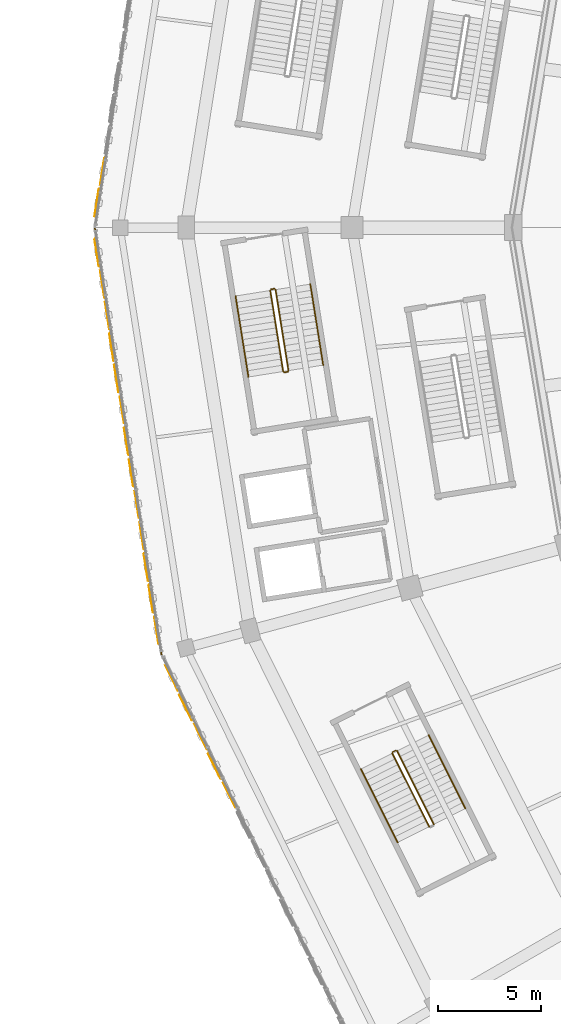
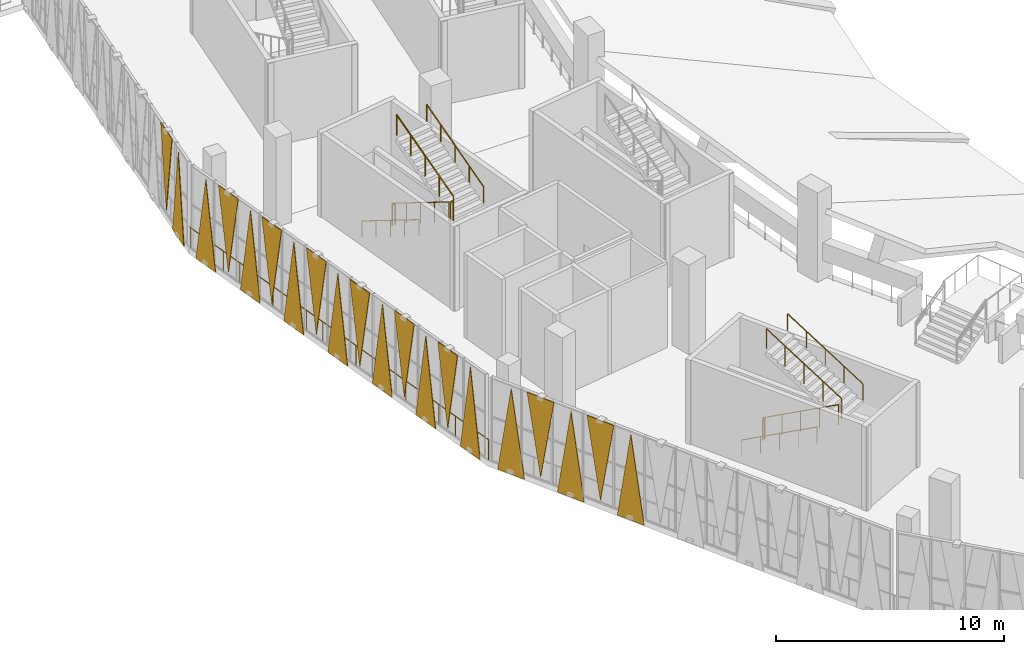
# One storey, part 137 of 183: 20 coverings, 12 railings.
"""IFC4 building model written with IfcOpenShell, lengths in metres."""

from ifc_helpers import new_model, si_unit, direction, frame, origin, origin_2d, place, context, subcontext, project, spatial, polyline, circle, outline, extrude, material, layer, layer_set, type_object, element, save


model = new_model("IFC4")

# Units and contexts
model_context = context("Model", 3, precision=1e-05, world=origin(), true_north=direction((0.0, 1.0)))
body_context = subcontext(model_context, "Body", "Model", "MODEL_VIEW")
ifc_project = project(units=[si_unit("LENGTHUNIT", "METRE"), si_unit("AREAUNIT", "SQUARE_METRE"), si_unit("VOLUMEUNIT", "CUBIC_METRE"), si_unit("PLANEANGLEUNIT", "RADIAN"), si_unit("MASSUNIT", "GRAM", prefix="KILO")], contexts=[model_context])

# Site, building, storey
site_placement = place(None, origin())
site = spatial("IfcSite", under=ifc_project, at=site_placement, CompositionType="ELEMENT")
building_placement = place(site_placement, origin())
building = spatial("IfcBuilding", under=site, at=building_placement, Name="Zevraka Park Crest Stadium", CompositionType="ELEMENT")
storey_placement = place(building_placement, frame((0.0, 0.0, 5.39990234375)))
storey = spatial("IfcBuildingStorey", under=building, at=storey_placement, Name="L01", CompositionType="ELEMENT", Elevation=5.39990234375)

# Coverings
ifc_material_1 = material(Name="Architectural golden-bronze perforated aluminium", Category="aluminium")
ifc_layer = layer(ifc_material_1, 0.034912109375)
ifc_layer_set = layer_set([ifc_layer], Name="Architectural golden-bronze perforated aluminium")
covering_type = type_object("IfcCoveringType", Name="CLD01", PredefinedType="CLADDING", material=ifc_layer_set)
covering_1_placement = place(storey_placement, frame((17.52001953125, 94.0439453125, 4.5), z_axis=(-0.988004428823, 0.15442549954, 0.000117126161), x_axis=(0.154425500599, 0.9880044356, 0.0)))
element("IfcCovering", 1, at=covering_1_placement, inside=storey, type_object=covering_type, Name="Triangular Golden-Bronze Perforated Cladding L01-11-12", PredefinedType="CLADDING", context=body_context, shape_type="SweptSolid", body=[
    extrude(outline(polyline([(0.0, 0.0), (1.378597603206358, 0.0), (0.6893440045369196, 4.2797851856061975), (0.0, 0.0)])), origin(), (0.0, 0.0, -1.0), 0.034912109375),
])
covering_2_placement = place(storey_placement, frame((17.4951171875, 93.885986328125, -0.260009765625), z_axis=(0.987977392493, -0.154598362367, 0.000135189612), x_axis=(-0.15459836378, -0.987977401521, 0.0)))
element("IfcCovering", 2, at=covering_2_placement, inside=storey, type_object=covering_type, Name="Triangular Golden-Bronze Perforated Cladding L01-11-13", PredefinedType="CLADDING", context=body_context, shape_type="SweptSolid", body=[
    extrude(outline(polyline([(0.0, 0.0), (1.3786353258463413, -3.3881317890172014e-21), (0.6892914195659171, -4.600097698286224), (0.0, 0.0)])), origin(), (0.0, 0.0, -1.0), 0.034912109375),
])
covering_3_placement = place(storey_placement, frame((17.281982421875, 91.47607421875, -0.260009765625), z_axis=(0.987977392493, 0.154598362367, 0.000135189612), x_axis=(0.15459836378, -0.987977401521, 0.0)))
element("IfcCovering", 3, at=covering_3_placement, inside=storey, type_object=covering_type, Name="Triangular Golden-Bronze Perforated Cladding L01-12-1", PredefinedType="CLADDING", context=body_context, shape_type="SweptSolid", body=[
    extrude(outline(polyline([(0.0, 0.0), (1.3786353258463413, 3.3881317890172014e-21), (0.6893439062804244, -4.600097698286224), (0.0, 0.0)])), origin(), (0.0, 0.0, -1.0), 0.034912109375),
])
covering_4_placement = place(storey_placement, frame((17.73291015625, 88.593994140625, 4.5), z_axis=(-0.988004428823, -0.15442549954, 0.000117126161), x_axis=(-0.154425500599, 0.9880044356, 0.0)))
element("IfcCovering", 4, at=covering_4_placement, inside=storey, type_object=covering_type, Name="Triangular Golden-Bronze Perforated Cladding L01-12-2", PredefinedType="CLADDING", context=body_context, shape_type="SweptSolid", body=[
    extrude(outline(polyline([(0.0, 0.0), (1.378597603206358, 0.0), (0.6892535986694385, 4.2797851856061975), (0.0, 0.0)])), origin(), (0.0, 0.0, -1.0), 0.034912109375),
])
covering_5_placement = place(storey_placement, frame((17.757080078125, 88.43603515625, -0.260009765625), z_axis=(-0.988021307121, -0.154317495936, 8.4399155e-05), x_axis=(0.154317496485, -0.98802131064, 0.0)))
element("IfcCovering", 5, at=covering_5_placement, inside=storey, type_object=covering_type, Name="Triangular Golden-Bronze Perforated Cladding L01-12-3", PredefinedType="CLADDING", context=body_context, shape_type="SweptSolid", body=[
    extrude(outline(polyline([(0.0, 0.0), (1.3795624595306466, 0.0), (0.6904596204561364, 4.600097672633749), (0.0, 0.0)])), origin(), (0.0, 0.0, -1.0), 0.034912109375),
])
covering_6_placement = place(storey_placement, frame((18.2080078125, 85.552978515625, 4.5), z_axis=(0.988004429804, 0.154425499693, 0.000108316949), x_axis=(-0.154425500599, 0.9880044356, 0.0)))
element("IfcCovering", 6, at=covering_6_placement, inside=storey, type_object=covering_type, Name="Triangular Golden-Bronze Perforated Cladding L01-12-4", PredefinedType="CLADDING", context=body_context, shape_type="SweptSolid", body=[
    extrude(outline(polyline([(0.0, 0.0), (1.378597603206358, 0.0), (0.6891027925165095, -4.279785181356422), (0.0, 0.0)])), origin(), (0.0, 0.0, -1.0), 0.034912109375),
])
covering_7_placement = place(storey_placement, frame((18.23291015625, 85.39501953125, -0.260009765625), z_axis=(0.987977398776, 0.15459836335, 7.4549778e-05), x_axis=(0.15459836378, -0.987977401521, 0.0)))
element("IfcCovering", 7, at=covering_7_placement, inside=storey, type_object=covering_type, Name="Triangular Golden-Bronze Perforated Cladding L01-12-5", PredefinedType="CLADDING", context=body_context, shape_type="SweptSolid", body=[
    extrude(outline(polyline([(0.0, 0.0), (1.3786353258463413, 0.0), (0.6891404446012883, -4.600097669032912), (0.0, 0.0)])), origin(), (0.0, 0.0, -1.0), 0.034912109375),
])
covering_8_placement = place(storey_placement, frame((18.68408203125, 82.511962890625, 4.5), z_axis=(-0.987994302166, -0.154490242843, 0.000154119859), x_axis=(-0.154490244678, 0.9879943139, 0.0)))
element("IfcCovering", 8, at=covering_8_placement, inside=storey, type_object=covering_type, Name="Triangular Golden-Bronze Perforated Cladding L01-12-6", PredefinedType="CLADDING", context=body_context, shape_type="SweptSolid", body=[
    extrude(outline(polyline([(0.0, 0.0), (1.3796001557884008, 6.776263578034403e-21), (0.6895325569324923, 4.279785207078722), (0.0, 0.0)])), origin(), (0.0, 0.0, -1.0), 0.034912109375),
])
covering_9_placement = place(storey_placement, frame((18.7080078125, 82.35400390625, -0.260009765625), z_axis=(0.987868977422, 0.15528967435, 2.2093708e-05), x_axis=(0.155289674388, -0.987868977663, 0.0)))
element("IfcCovering", 9, at=covering_9_placement, inside=storey, type_object=covering_type, Name="Triangular Golden-Bronze Perforated Cladding L01-12-7", PredefinedType="CLADDING", context=body_context, shape_type="SweptSolid", body=[
    extrude(outline(polyline([(0.0, 0.0), (1.3787866383835012, 8.470329472543003e-22), (0.6892537734578578, -4.600097657372728), (0.0, 0.0)])), origin(), (0.0, 0.0, -1.0), 0.034912109375),
])
covering_10_placement = place(storey_placement, frame((19.158935546875, 79.470947265625, 4.5), z_axis=(0.988021301672, 0.154317495085, 0.000134731109), x_axis=(-0.154317496485, 0.98802131064, 0.0)))
element("IfcCovering", 10, at=covering_10_placement, inside=storey, type_object=covering_type, Name="Triangular Golden-Bronze Perforated Cladding L01-12-8", PredefinedType="CLADDING", context=body_context, shape_type="SweptSolid", body=[
    extrude(outline(polyline([(0.0, 0.0), (1.3795624595306466, -6.776263578034403e-21), (0.6903089197759749, -4.27978519509434), (0.0, 0.0)])), origin(), (0.0, 0.0, -1.0), 0.034912109375),
])
covering_11_placement = place(storey_placement, frame((19.18408203125, 79.31298828125, -0.260009765625), z_axis=(-0.988004429734, -0.154425499682, 0.000108970471), x_axis=(0.154425500599, -0.9880044356, 0.0)))
element("IfcCovering", 11, at=covering_11_placement, inside=storey, type_object=covering_type, Name="Triangular Golden-Bronze Perforated Cladding L01-12-9", PredefinedType="CLADDING", context=body_context, shape_type="SweptSolid", body=[
    extrude(outline(polyline([(0.0, 0.0), (1.378597603206358, 0.0), (0.6892535986694385, 4.600097683562077), (0.0, 0.0)])), origin(), (0.0, 0.0, -1.0), 0.034912109375),
])
covering_12_placement = place(storey_placement, frame((19.635009765625, 76.430908203125, 4.5), z_axis=(-0.988004429804, -0.154425499693, 0.000108316949), x_axis=(-0.154425500599, 0.9880044356, 0.0)))
element("IfcCovering", 12, at=covering_12_placement, inside=storey, type_object=covering_type, Name="Triangular Golden-Bronze Perforated Cladding L01-12-10", PredefinedType="CLADDING", context=body_context, shape_type="SweptSolid", body=[
    extrude(outline(polyline([(0.0, 0.0), (1.378597603206358, 0.0), (0.6894948106898485, 4.279785181356422), (0.0, 0.0)])), origin(), (0.0, 0.0, -1.0), 0.034912109375),
])
covering_13_placement = place(storey_placement, frame((19.659912109375, 76.27294921875, -0.260009765625), z_axis=(0.98799431223, 0.154490244416, 5.8155496e-05), x_axis=(0.154490244678, -0.9879943139, 0.0)))
element("IfcCovering", 13, at=covering_13_placement, inside=storey, type_object=covering_type, Name="Triangular Golden-Bronze Perforated Cladding L01-12-11", PredefinedType="CLADDING", context=body_context, shape_type="SweptSolid", body=[
    extrude(outline(polyline([(0.0, 0.0), (1.3796001557884008, 0.0), (0.6891404780036323, -4.600097664028908), (0.0, 0.0)])), origin(), (0.0, 0.0, -1.0), 0.034912109375),
])
covering_14_placement = place(storey_placement, frame((20.110107421875, 73.389892578125, 4.5), z_axis=(0.987977397613, 0.154598363168, 8.894839e-05), x_axis=(-0.15459836378, 0.987977401521, 0.0)))
element("IfcCovering", 14, at=covering_14_placement, inside=storey, type_object=covering_type, Name="Triangular Golden-Bronze Perforated Cladding L01-12-12", PredefinedType="CLADDING", context=body_context, shape_type="SweptSolid", body=[
    extrude(outline(polyline([(0.0, 0.0), (1.3786353258463413, 0.0), (0.6893816500215816, -4.279785173180437), (0.0, 0.0)])), origin(), (0.0, 0.0, -1.0), 0.034912109375),
])
covering_15_placement = place(storey_placement, frame((20.135009765625, 73.23193359375, -0.260009765625), z_axis=(-0.988000205868, -0.154452524116, 0.000104872116), x_axis=(0.154452524965, -0.988000211302, 0.0)))
element("IfcCovering", 15, at=covering_15_placement, inside=storey, type_object=covering_type, Name="Triangular Golden-Bronze Perforated Cladding L01-12-13", PredefinedType="CLADDING", context=body_context, shape_type="SweptSolid", body=[
    extrude(outline(polyline([(0.0, 0.0), (1.3783563917015642, 3.3881317890172014e-21), (0.6892536121227377, 4.600097681546307), (0.0, 0.0)])), origin(), (0.0, 0.0, -1.0), 0.034912109375),
])
covering_16_placement = place(storey_placement, frame((20.6640625, 70.8701171875, -0.260009765625), z_axis=(-0.897262886806, -0.441496664748, 8.3524968e-05), x_axis=(0.441496666288, -0.897262889936, 0.0)))
element("IfcCovering", 16, at=covering_16_placement, inside=storey, type_object=covering_type, Name="Triangular Golden-Bronze Perforated Cladding L01-13-1", PredefinedType="CLADDING", context=body_context, shape_type="SweptSolid", body=[
    extrude(outline(polyline([(0.0, 0.0), (1.4200631009776323, 0.0), (0.7103566541942712, 4.600097672296107), (0.0, 0.0)])), origin(), (0.0, 0.0, -1.0), 0.034912109375),
])
covering_17_placement = place(storey_placement, frame((21.989013671875, 68.177001953125, 4.5), z_axis=(0.897363342696, 0.441292428963, 0.000152727413), x_axis=(-0.441292434109, 0.897363353162, 0.0)))
element("IfcCovering", 17, at=covering_17_placement, inside=storey, type_object=covering_type, Name="Triangular Golden-Bronze Perforated Cladding L01-13-2", PredefinedType="CLADDING", context=body_context, shape_type="SweptSolid", body=[
    extrude(outline(polyline([(0.0, 0.0), (1.420720312745091, -1.3552527156068805e-20), (0.710582847250989, -4.279785206164413), (0.0, 0.0)])), origin(), (0.0, 0.0, -1.0), 0.034912109375),
])
covering_18_placement = place(storey_placement, frame((22.06005859375, 68.033935546875, -0.260009765625), z_axis=(-0.89736335211, -0.441292433592, 4.8410033e-05), x_axis=(0.441292434109, -0.897363353162, 0.0)))
element("IfcCovering", 18, at=covering_18_placement, inside=storey, type_object=covering_type, Name="Triangular Golden-Bronze Perforated Cladding L01-13-3", PredefinedType="CLADDING", context=body_context, shape_type="SweptSolid", body=[
    extrude(outline(polyline([(0.0, 0.0), (1.420720312745091, 0.0), (0.7110137968936739, 4.600097661640237), (0.0, 0.0)])), origin(), (0.0, 0.0, -1.0), 0.034912109375),
])
covering_19_placement = place(storey_placement, frame((23.385009765625, 65.341064453125, 4.5), z_axis=(0.897229366489, 0.441564778295, 0.000102365016), x_axis=(-0.441564780609, 0.89722937119, 0.0)))
element("IfcCovering", 19, at=covering_19_placement, inside=storey, type_object=covering_type, Name="Triangular Golden-Bronze Perforated Cladding L01-13-4", PredefinedType="CLADDING", context=body_context, shape_type="SweptSolid", body=[
    extrude(outline(polyline([(0.0, 0.0), (1.4198440467462223, -6.776263578034403e-21), (0.7097064155700795, -4.2797851786730705), (0.0, 0.0)])), origin(), (0.0, 0.0, -1.0), 0.034912109375),
])
covering_20_placement = place(storey_placement, frame((23.4560546875, 65.197021484375, -0.260009765625), z_axis=(-0.897363344103, -0.441292429655, 0.000142092747), x_axis=(0.441292434109, -0.897363353162, 0.0)))
element("IfcCovering", 20, at=covering_20_placement, inside=storey, type_object=covering_type, Name="Triangular Golden-Bronze Perforated Cladding L01-13-5", PredefinedType="CLADDING", context=body_context, shape_type="SweptSolid", body=[
    extrude(outline(polyline([(0.0, 0.0), (1.420720312745091, 1.3552527156068805e-20), (0.7101374654941018, 4.600097702688788), (0.0, 0.0)])), origin(), (0.0, 0.0, -1.0), 0.034912109375),
])

# Railings
ifc_material_2 = material(Name="Galvanised and bronze-finished steel balustrade", Category="steel")
railing_type_1 = type_object("IfcRailingType", Name="GR01", PredefinedType="GUARDRAIL", material=ifc_material_2)
railing_1_placement = place(storey_placement, frame((20.498046875, 71.366943359375, 0.0)))
element("IfcRailing", 21, at=railing_1_placement, inside=storey, type_object=railing_type_1, Name="Deck Edge Protection Guardrail GR01 L01-48", PredefinedType="GUARDRAIL", context=body_context, shape_type="SweptSolid", body=[
    extrude(circle(Radius=0.02392578125, at=origin_2d()), frame((0.0, 0.0, 1.076171875), z_axis=(-0.154523448531, 0.987989121324, 0.0), x_axis=(-0.987989121324, -0.154523448531, 0.0)), (0.0, 0.0, 1.0), 20.8837890625),
    extrude(circle(Radius=0.02099609375, at=origin_2d()), origin(), (0.0, 0.0, 1.0), 1.052001953125),
    extrude(circle(Radius=0.02099609375, at=origin_2d()), frame((-0.17919921875, 1.146240234375, 0.0)), (0.0, 0.0, 1.0), 1.052001953125),
    extrude(circle(Radius=0.02099609375, at=origin_2d()), frame((-0.358642578125, 2.29248046875, 0.0)), (0.0, 0.0, 1.0), 1.052001953125),
    extrude(circle(Radius=0.02099609375, at=origin_2d()), frame((-0.537841796875, 3.43896484375, 0.0)), (0.0, 0.0, 1.0), 1.052001953125),
    extrude(circle(Radius=0.02099609375, at=origin_2d()), frame((-0.717041015625, 4.585205078125, 0.0)), (0.0, 0.0, 1.0), 1.052001953125),
    extrude(circle(Radius=0.02099609375, at=origin_2d()), frame((-0.896484375, 5.7314453125, 0.0)), (0.0, 0.0, 1.0), 1.052001953125),
    extrude(circle(Radius=0.02099609375, at=origin_2d()), frame((-1.07568359375, 6.877685546875, 0.0)), (0.0, 0.0, 1.0), 1.052001953125),
    extrude(circle(Radius=0.02099609375, at=origin_2d()), frame((-1.2548828125, 8.02392578125, 0.0)), (0.0, 0.0, 1.0), 1.052001953125),
    extrude(circle(Radius=0.02099609375, at=origin_2d()), frame((-1.434326171875, 9.170166015625, 0.0)), (0.0, 0.0, 1.0), 1.052001953125),
    extrude(circle(Radius=0.02099609375, at=origin_2d()), frame((-1.613525390625, 10.31640625, 0.0)), (0.0, 0.0, 1.0), 1.052001953125),
    extrude(circle(Radius=0.02099609375, at=origin_2d()), frame((-1.792724609375, 11.462890625, 0.0)), (0.0, 0.0, 1.0), 1.052001953125),
    extrude(circle(Radius=0.02099609375, at=origin_2d()), frame((-1.97216796875, 12.609130859375, 0.0)), (0.0, 0.0, 1.0), 1.052001953125),
    extrude(circle(Radius=0.02099609375, at=origin_2d()), frame((-2.1513671875, 13.75537109375, 0.0)), (0.0, 0.0, 1.0), 1.052001953125),
    extrude(circle(Radius=0.02099609375, at=origin_2d()), frame((-2.33056640625, 14.901611328125, 0.0)), (0.0, 0.0, 1.0), 1.052001953125),
    extrude(circle(Radius=0.02099609375, at=origin_2d()), frame((-2.510009765625, 16.0478515625, 0.0)), (0.0, 0.0, 1.0), 1.052001953125),
    extrude(circle(Radius=0.02099609375, at=origin_2d()), frame((-2.689208984375, 17.1943359375, 0.0)), (0.0, 0.0, 1.0), 1.052001953125),
    extrude(circle(Radius=0.02099609375, at=origin_2d()), frame((-2.868408203125, 18.340576171875, 0.0)), (0.0, 0.0, 1.0), 1.052001953125),
    extrude(circle(Radius=0.02099609375, at=origin_2d()), frame((-3.0478515625, 19.48681640625, 0.0)), (0.0, 0.0, 1.0), 1.052001953125),
    extrude(circle(Radius=0.02099609375, at=origin_2d()), frame((-3.22705078125, 20.633056640625, 0.0)), (0.0, 0.0, 1.0), 1.052001953125),
])
ifc_material_3 = material(Name="Powder-coated tubular steel stairwell guard", Category="steel")
railing_type_2 = type_object("IfcRailingType", Name="GR03", PredefinedType="GUARDRAIL", material=ifc_material_3)
railing_2_placement = place(storey_placement, frame((25.75341796875, 88.960205078125, 0.171630859375)))
element("IfcRailing", 22, at=railing_2_placement, inside=storey, type_object=railing_type_2, Name="L01 ST13 stair guard 1", PredefinedType="GUARDRAIL", context=body_context, shape_type="SweptSolid", body=[
    extrude(circle(Radius=0.02392578125, at=origin_2d()), frame((0.0, 0.0, 1.076171875), z_axis=(0.137093904715, -0.860889602123, 0.489973830165), x_axis=(0.987556409005, 0.157265186968, 0.0)), (0.0, 0.0, 1.0), 4.54833984375),
    extrude(circle(Radius=0.02099609375, at=origin_2d()), origin(), (0.0, 0.0, 1.0), 1.052001953125),
    extrude(circle(Radius=0.02099609375, at=origin_2d()), frame((0.15576171875, -0.97900390625, 0.55712890625)), (0.0, 0.0, 1.0), 1.052001953125),
    extrude(circle(Radius=0.02099609375, at=origin_2d()), frame((0.311767578125, -1.957763671875, 1.1142578125)), (0.0, 0.0, 1.0), 1.052001953125),
    extrude(circle(Radius=0.02099609375, at=origin_2d()), frame((0.4677734375, -2.9365234375, 1.67138671875)), (0.0, 0.0, 1.0), 1.052001953125),
    extrude(circle(Radius=0.02099609375, at=origin_2d()), frame((0.62353515625, -3.91552734375, 2.228515625)), (0.0, 0.0, 1.0), 1.052001953125),
])
railing_3_placement = place(storey_placement, frame((26.43408203125, 85.003173828125, 2.400146484375)))
element("IfcRailing", 23, at=railing_3_placement, inside=storey, type_object=railing_type_2, Name="L01 ST13 stair guard 2", PredefinedType="GUARDRAIL", context=body_context, shape_type="SweptSolid", body=[
    extrude(circle(Radius=0.02392578125, at=origin_2d()), frame((0.0, 0.0, 1.076171875), z_axis=(0.987601795403, 0.15697991501, 0.0), x_axis=(-0.15697991501, 0.987601795403, 0.0)), (0.0, 0.0, 1.0), 0.16015625),
    extrude(circle(Radius=0.02099609375, at=origin_2d()), origin(), (0.0, 0.0, 1.0), 1.052001953125),
    extrude(circle(Radius=0.02099609375, at=origin_2d()), frame((0.158203125, 0.025146484375, 0.0)), (0.0, 0.0, 1.0), 1.052001953125),
])
railing_4_placement = place(storey_placement, frame((26.6337890625, 85.08544921875, 2.571533203125)))
element("IfcRailing", 24, at=railing_4_placement, inside=storey, type_object=railing_type_2, Name="L01 ST13 stair guard 3", PredefinedType="GUARDRAIL", context=body_context, shape_type="SweptSolid", body=[
    extrude(circle(Radius=0.02392578125, at=origin_2d()), frame((0.0, 0.0, 1.076171875), z_axis=(-0.13708756972, 0.860903496765, 0.489951188881), x_axis=(-0.987557931786, -0.157255624277, 0.0)), (0.0, 0.0, 1.0), 4.54833984375),
    extrude(circle(Radius=0.02099609375, at=origin_2d()), origin(), (0.0, 0.0, 1.0), 1.052001953125),
    extrude(circle(Radius=0.02099609375, at=origin_2d()), frame((-0.15576171875, 0.97900390625, 0.55712890625)), (0.0, 0.0, 1.0), 1.052001953125),
    extrude(circle(Radius=0.02099609375, at=origin_2d()), frame((-0.311767578125, 1.9580078125, 1.1142578125)), (0.0, 0.0, 1.0), 1.052001953125),
    extrude(circle(Radius=0.02099609375, at=origin_2d()), frame((-0.4677734375, 2.936767578125, 1.67138671875)), (0.0, 0.0, 1.0), 1.052001953125),
    extrude(circle(Radius=0.02099609375, at=origin_2d()), frame((-0.62353515625, 3.915771484375, 2.228515625)), (0.0, 0.0, 1.0), 1.052001953125),
])
railing_5_placement = place(storey_placement, frame((25.794921875, 89.017578125, 0.0)))
element("IfcRailing", 25, at=railing_5_placement, inside=storey, type_object=railing_type_2, Name="L01 ST13 stair guard 4", PredefinedType="GUARDRAIL", context=body_context, shape_type="SweptSolid", body=[
    extrude(circle(Radius=0.02392578125, at=origin_2d()), frame((0.0, 0.0, 1.076171875), z_axis=(0.987564153079, 0.157216549872, 0.0), x_axis=(-0.157216549872, 0.987564153079, 0.0)), (0.0, 0.0, 1.0), 0.159912109375),
    extrude(circle(Radius=0.02099609375, at=origin_2d()), origin(), (0.0, 0.0, 1.0), 1.052001953125),
    extrude(circle(Radius=0.02099609375, at=origin_2d()), frame((0.157958984375, 0.025146484375, 0.0)), (0.0, 0.0, 1.0), 1.052001953125),
])
railing_6_placement = place(storey_placement, frame((31.6533203125, 66.586669921875, 0.171630859375)))
element("IfcRailing", 26, at=railing_6_placement, inside=storey, type_object=railing_type_2, Name="L01 ST14 stair guard 1", PredefinedType="GUARDRAIL", context=body_context, shape_type="SweptSolid", body=[
    extrude(circle(Radius=0.02392578125, at=origin_2d()), frame((0.0, 0.0, 1.076171875), z_axis=(0.390499471061, -0.779388635026, 0.489962772763), x_axis=(0.894057440576, 0.447952333346, 0.0)), (0.0, 0.0, 1.0), 4.54833984375),
    extrude(circle(Radius=0.02099609375, at=origin_2d()), origin(), (0.0, 0.0, 1.0), 1.052001953125),
    extrude(circle(Radius=0.02099609375, at=origin_2d()), frame((0.444091796875, -0.88623046875, 0.55712890625)), (0.0, 0.0, 1.0), 1.052001953125),
    extrude(circle(Radius=0.02099609375, at=origin_2d()), frame((0.88818359375, -1.7724609375, 1.1142578125)), (0.0, 0.0, 1.0), 1.052001953125),
    extrude(circle(Radius=0.02099609375, at=origin_2d()), frame((1.33203125, -2.65869140625, 1.67138671875)), (0.0, 0.0, 1.0), 1.052001953125),
    extrude(circle(Radius=0.02099609375, at=origin_2d()), frame((1.776123046875, -3.544921875, 2.228515625)), (0.0, 0.0, 1.0), 1.052001953125),
])
railing_7_placement = place(storey_placement, frame((33.661865234375, 63.158203125, 2.571533203125)))
element("IfcRailing", 27, at=railing_7_placement, inside=storey, type_object=railing_type_2, Name="L01 ST14 stair guard 3", PredefinedType="GUARDRAIL", context=body_context, shape_type="SweptSolid", body=[
    extrude(circle(Radius=0.02392578125, at=origin_2d()), frame((0.0, 0.0, 1.076171875), z_axis=(-0.39045397791, 0.779404971028, 0.489973042393), x_axis=(-0.894082100069, -0.447903112666, 0.0)), (0.0, 0.0, 1.0), 4.54833984375),
    extrude(circle(Radius=0.02099609375, at=origin_2d()), origin(), (0.0, 0.0, 1.0), 1.052001953125),
    extrude(circle(Radius=0.02099609375, at=origin_2d()), frame((-0.44384765625, 0.88623046875, 0.55712890625)), (0.0, 0.0, 1.0), 1.052001953125),
    extrude(circle(Radius=0.02099609375, at=origin_2d()), frame((-0.887939453125, 1.7724609375, 1.1142578125)), (0.0, 0.0, 1.0), 1.052001953125),
    extrude(circle(Radius=0.02099609375, at=origin_2d()), frame((-1.33203125, 2.65869140625, 1.67138671875)), (0.0, 0.0, 1.0), 1.052001953125),
    extrude(circle(Radius=0.02099609375, at=origin_2d()), frame((-1.77587890625, 3.544921875, 2.228515625)), (0.0, 0.0, 1.0), 1.052001953125),
])
railing_8_placement = place(storey_placement, frame((31.67578125, 66.65380859375, 0.0)))
element("IfcRailing", 28, at=railing_8_placement, inside=storey, type_object=railing_type_2, Name="L01 ST14 stair guard 4", PredefinedType="GUARDRAIL", context=body_context, shape_type="SweptSolid", body=[
    extrude(circle(Radius=0.02392578125, at=origin_2d()), frame((0.0, 0.0, 1.076171875), z_axis=(0.894427191, 0.4472135955, 0.0), x_axis=(-0.4472135955, 0.894427191, 0.0)), (0.0, 0.0, 1.0), 0.159912109375),
    extrude(circle(Radius=0.02099609375, at=origin_2d()), origin(), (0.0, 0.0, 1.0), 1.052001953125),
    extrude(circle(Radius=0.02099609375, at=origin_2d()), frame((0.14306640625, 0.071533203125, 0.0)), (0.0, 0.0, 1.0), 1.052001953125),
])
ifc_material_4 = material(Name="Brushed stainless steel continuous handrail", Category="steel")
railing_type_3 = type_object("IfcRailingType", Name="HR01", PredefinedType="HANDRAIL", material=ifc_material_4)
railing_9_placement = place(storey_placement, frame((24.074462890625, 88.69287109375, 0.171630859375)))
element("IfcRailing", 29, at=railing_9_placement, inside=storey, type_object=railing_type_3, Name="L01 ST13 stair handrail 1", PredefinedType="HANDRAIL", context=body_context, shape_type="SweptSolid", body=[
    extrude(circle(Radius=0.02392578125, at=origin_2d()), frame((0.0, 0.0, 0.8759765625), z_axis=(0.137093904715, -0.860889602123, 0.489973830165), x_axis=(0.987556409005, 0.157265186968, 0.0)), (0.0, 0.0, 1.0), 4.54833984375),
    extrude(circle(Radius=0.02099609375, at=origin_2d()), origin(), (0.0, 0.0, 1.0), 0.851806640625),
    extrude(circle(Radius=0.02099609375, at=origin_2d()), frame((0.15576171875, -0.97900390625, 0.55712890625)), (0.0, 0.0, 1.0), 0.851806640625),
    extrude(circle(Radius=0.02099609375, at=origin_2d()), frame((0.311767578125, -1.957763671875, 1.1142578125)), (0.0, 0.0, 1.0), 0.851806640625),
    extrude(circle(Radius=0.02099609375, at=origin_2d()), frame((0.4677734375, -2.9365234375, 1.67138671875)), (0.0, 0.0, 1.0), 0.851806640625),
    extrude(circle(Radius=0.02099609375, at=origin_2d()), frame((0.62353515625, -3.91552734375, 2.228515625)), (0.0, 0.0, 1.0), 0.851806640625),
])
railing_10_placement = place(storey_placement, frame((28.3125, 85.352783203125, 2.571533203125)))
element("IfcRailing", 30, at=railing_10_placement, inside=storey, type_object=railing_type_3, Name="L01 ST13 stair handrail 2", PredefinedType="HANDRAIL", context=body_context, shape_type="SweptSolid", body=[
    extrude(circle(Radius=0.02392578125, at=origin_2d()), frame((0.0, 0.0, 0.8759765625), z_axis=(-0.13708756972, 0.860903496765, 0.489951188881), x_axis=(-0.987557931786, -0.157255624277, 0.0)), (0.0, 0.0, 1.0), 4.54833984375),
    extrude(circle(Radius=0.02099609375, at=origin_2d()), origin(), (0.0, 0.0, 1.0), 0.851806640625),
    extrude(circle(Radius=0.02099609375, at=origin_2d()), frame((-0.15576171875, 0.97900390625, 0.55712890625)), (0.0, 0.0, 1.0), 0.851806640625),
    extrude(circle(Radius=0.02099609375, at=origin_2d()), frame((-0.311767578125, 1.9580078125, 1.1142578125)), (0.0, 0.0, 1.0), 0.851806640625),
    extrude(circle(Radius=0.02099609375, at=origin_2d()), frame((-0.4677734375, 2.936767578125, 1.67138671875)), (0.0, 0.0, 1.0), 0.851806640625),
    extrude(circle(Radius=0.02099609375, at=origin_2d()), frame((-0.62353515625, 3.915771484375, 2.228515625)), (0.0, 0.0, 1.0), 0.851806640625),
])
railing_11_placement = place(storey_placement, frame((30.133544921875, 65.8251953125, 0.171630859375)))
element("IfcRailing", 31, at=railing_11_placement, inside=storey, type_object=railing_type_3, Name="L01 ST14 stair handrail 1", PredefinedType="HANDRAIL", context=body_context, shape_type="SweptSolid", body=[
    extrude(circle(Radius=0.02392578125, at=origin_2d()), frame((0.0, 0.0, 0.8759765625), z_axis=(0.39045397791, -0.779404971028, 0.489973042393), x_axis=(0.894082100069, 0.447903112666, 0.0)), (0.0, 0.0, 1.0), 4.54833984375),
    extrude(circle(Radius=0.02099609375, at=origin_2d()), origin(), (0.0, 0.0, 1.0), 0.851806640625),
    extrude(circle(Radius=0.02099609375, at=origin_2d()), frame((0.44384765625, -0.88623046875, 0.55712890625)), (0.0, 0.0, 1.0), 0.851806640625),
    extrude(circle(Radius=0.02099609375, at=origin_2d()), frame((0.887939453125, -1.7724609375, 1.1142578125)), (0.0, 0.0, 1.0), 0.851806640625),
    extrude(circle(Radius=0.02099609375, at=origin_2d()), frame((1.33203125, -2.65869140625, 1.67138671875)), (0.0, 0.0, 1.0), 0.851806640625),
    extrude(circle(Radius=0.02099609375, at=origin_2d()), frame((1.77587890625, -3.544921875, 2.228515625)), (0.0, 0.0, 1.0), 0.851806640625),
])
railing_12_placement = place(storey_placement, frame((35.181884765625, 63.919677734375, 2.571533203125)))
element("IfcRailing", 32, at=railing_12_placement, inside=storey, type_object=railing_type_3, Name="L01 ST14 stair handrail 2", PredefinedType="HANDRAIL", context=body_context, shape_type="SweptSolid", body=[
    extrude(circle(Radius=0.02392578125, at=origin_2d()), frame((0.0, 0.0, 0.8759765625), z_axis=(-0.390499471061, 0.779388635026, 0.489962772763), x_axis=(-0.894057440576, -0.447952333346, 0.0)), (0.0, 0.0, 1.0), 4.54833984375),
    extrude(circle(Radius=0.02099609375, at=origin_2d()), origin(), (0.0, 0.0, 1.0), 0.851806640625),
    extrude(circle(Radius=0.02099609375, at=origin_2d()), frame((-0.444091796875, 0.88623046875, 0.55712890625)), (0.0, 0.0, 1.0), 0.851806640625),
    extrude(circle(Radius=0.02099609375, at=origin_2d()), frame((-0.88818359375, 1.7724609375, 1.1142578125)), (0.0, 0.0, 1.0), 0.851806640625),
    extrude(circle(Radius=0.02099609375, at=origin_2d()), frame((-1.33203125, 2.65869140625, 1.67138671875)), (0.0, 0.0, 1.0), 0.851806640625),
    extrude(circle(Radius=0.02099609375, at=origin_2d()), frame((-1.776123046875, 3.544921875, 2.228515625)), (0.0, 0.0, 1.0), 0.851806640625),
])

save(model, "model.ifc")
